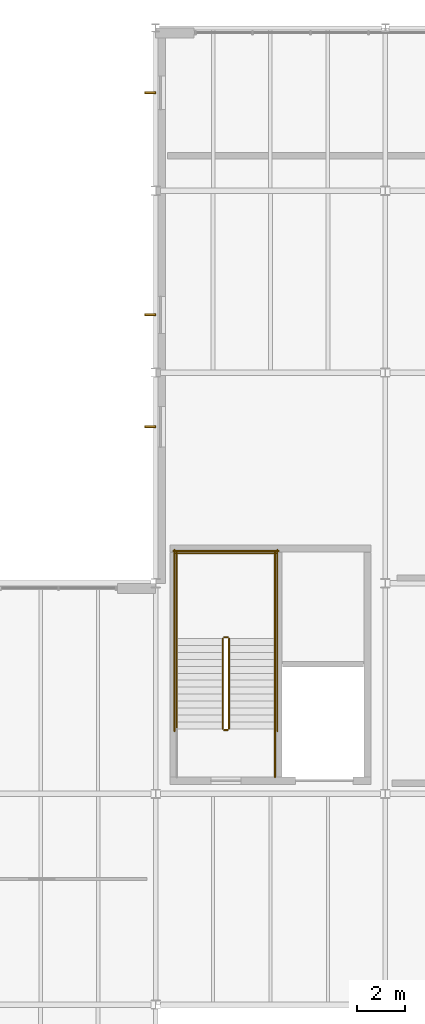
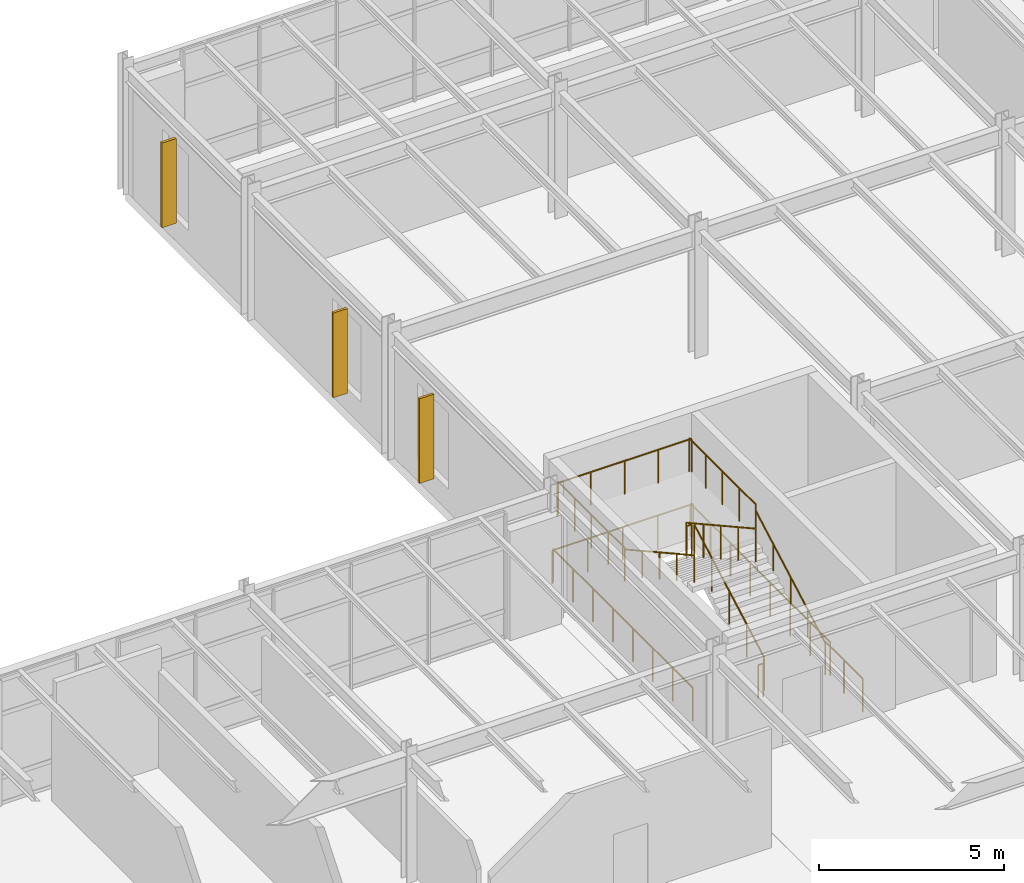
# One storey, part 71 of 77: 13 railings, 3 shading devices.
"""IFC4 building model written with IfcOpenShell, lengths in metres."""

import ifcopenshell
import ifcopenshell.guid

model = None  # the IFC model being written
_history = None  # IfcOwnerHistory: only IFC2X3 demands one
_inside = {}  # id of a spatial element -> (the spatial element, [elements in it])
_under = {}  # id of a project, library or spatial element -> (it, [spatial elements below it])
_declared = {}  # id of a project -> (the project, [libraries it declares])
_typed = {}  # id of a type object -> (the type object, [elements of that type])
_made_of = {}  # id of a material, layer set ... -> (it, [elements and type objects made of it])


def new_model(schema):
    """Start an empty IFC model of exactly this schema.

    Asked for "IFC4X3", IfcOpenShell would pick the latest addendum, in which some entities
    have other attributes; the version numbers below select the first issue.
    IFC2X3 requires an IfcOwnerHistory on every rooted entity: one is made here for all.
    """
    global model, _history
    if schema == "IFC4X3":
        model = ifcopenshell.file(schema_version=(4, 3, 0, 0))
    else:
        model = ifcopenshell.file(schema=schema)
    _inside.clear()
    _under.clear()
    _declared.clear()
    _typed.clear()
    _made_of.clear()
    _history = None
    if model.schema == "IFC2X3":
        org = make("IfcOrganization", Name="unknown")
        user = make(
            "IfcPersonAndOrganization",
            ThePerson=make("IfcPerson", FamilyName="unknown"),
            TheOrganization=org,
        )
        app = make(
            "IfcApplication",
            ApplicationDeveloper=org,
            Version="unknown",
            ApplicationFullName="unknown",
            ApplicationIdentifier="unknown",
        )
        _history = make(
            "IfcOwnerHistory",
            OwningUser=user,
            OwningApplication=app,
            ChangeAction="ADDED",
            CreationDate=0,
        )
    return model


def make(cls, **values):
    """One entity of the class cls with the attributes given. An attribute that is None is left unset."""
    return model.create_entity(
        cls, **{name: value for name, value in values.items() if value is not None}
    )


def rooted(cls, **values):
    """An entity with a GlobalId (a new one), such as an element, a storey or a relation."""
    return make(cls, GlobalId=ifcopenshell.guid.new(), OwnerHistory=_history, **values)


def si_unit(unit_type, name, prefix=None):
    """IfcSIUnit, for example si_unit("LENGTHUNIT", "METRE", prefix="MILLI")."""
    return make("IfcSIUnit", UnitType=unit_type, Prefix=prefix, Name=name)


def assignment(units):
    """IfcUnitAssignment: the units of a project."""
    return None if units is None else make("IfcUnitAssignment", Units=units)


def point(xyz):
    """IfcCartesianPoint."""
    return None if xyz is None else make("IfcCartesianPoint", Coordinates=xyz)


def direction(xyz):
    """IfcDirection."""
    return None if xyz is None else make("IfcDirection", DirectionRatios=xyz)


def frame(location, z_axis=None, x_axis=None):
    """IfcAxis2Placement3D, a coordinate frame: its origin and axes. An axis left out is left unset."""
    return make(
        "IfcAxis2Placement3D",
        Location=point(location),
        Axis=direction(z_axis),
        RefDirection=direction(x_axis),
    )


def frame_2d(location, x_axis=None):
    """IfcAxis2Placement2D, a coordinate frame in the plane: its origin and x axis."""
    return make(
        "IfcAxis2Placement2D", Location=point(location), RefDirection=direction(x_axis)
    )


def origin():
    """The frame at (0, 0, 0) with its axes left unset."""
    return frame((0.0, 0.0, 0.0))


def origin_2d():
    """The frame at (0, 0) in the plane with its x axis left unset."""
    return frame_2d((0.0, 0.0))


def place(relative_to, where):
    """IfcLocalPlacement: puts the frame where relative to a parent placement (None: the world)."""
    return make(
        "IfcLocalPlacement", PlacementRelTo=relative_to, RelativePlacement=where
    )


def context(
    kind, dimensions, precision=None, world=None, true_north=None, identifier=None
):
    """IfcGeometricRepresentationContext, for example the 3D "Model" context."""
    return make(
        "IfcGeometricRepresentationContext",
        ContextIdentifier=identifier,
        ContextType=kind,
        CoordinateSpaceDimension=dimensions,
        Precision=precision,
        WorldCoordinateSystem=world,
        TrueNorth=true_north,
    )


def subcontext(parent, identifier, kind, view, scale=None):
    """IfcGeometricRepresentationSubContext, for example "Body" below "Model"."""
    return make(
        "IfcGeometricRepresentationSubContext",
        ContextIdentifier=identifier,
        ContextType=kind,
        ParentContext=parent,
        TargetScale=scale,
        TargetView=view,
    )


def project(units=None, contexts=None):
    """IfcProject with its units and contexts."""
    return rooted(
        "IfcProject",
        Name="project",
        RepresentationContexts=contexts,
        UnitsInContext=assignment(units),
    )


def spatial(cls, under=None, at=None, **own):
    """A site, building, storey or space (cls), placed at a placement, below another one or the project."""
    s = rooted(cls, ObjectPlacement=at, **own)
    if under is not None:
        _under.setdefault(under.id(), (under, []))[1].append(s)
    return s


def profile(cls, at=None, kind="AREA", **sizes):
    """A parametric profile (cls). Its sizes go by their IFC names, for example OverallWidth=200.0."""
    return make(cls, ProfileType=kind, Position=at, **sizes)


def rectangle(**sizes):
    """IfcRectangleProfileDef."""
    return profile("IfcRectangleProfileDef", **sizes)


def circle(**sizes):
    """IfcCircleProfileDef."""
    return profile("IfcCircleProfileDef", **sizes)


def extrude(swept, where, along, depth):
    """IfcExtrudedAreaSolid: the profile swept, set in the frame where, extruded along a direction by depth."""
    return make(
        "IfcExtrudedAreaSolid",
        SweptArea=swept,
        Position=where,
        ExtrudedDirection=direction(along),
        Depth=depth,
    )


def shape(context_of_items, identifier, shape_type, items):
    """IfcShapeRepresentation: the items that make up one representation, for example the "Body"."""
    return make(
        "IfcShapeRepresentation",
        ContextOfItems=context_of_items,
        RepresentationIdentifier=identifier,
        RepresentationType=shape_type,
        Items=items,
    )


def material(Name=None, Category=None):
    """IfcMaterial."""
    return make("IfcMaterial", Name=Name, Category=Category)


def layer(
    of_material, thickness, ventilated=None, Name=None, Category=None, Priority=None
):
    """IfcMaterialLayer: one layer of a wall or slab, of a material (None: an air gap)."""
    return make(
        "IfcMaterialLayer",
        Material=of_material,
        LayerThickness=thickness,
        IsVentilated=ventilated,
        Name=Name,
        Category=Category,
        Priority=Priority,
    )


def layer_set(layers, Name=None):
    """IfcMaterialLayerSet."""
    return make("IfcMaterialLayerSet", MaterialLayers=layers, LayerSetName=Name)


def made_of(thing, what):
    """Note that an element or type object is made of a material, layer set ...; save() writes the relation."""
    if what is not None:
        _made_of.setdefault(what.id(), (what, []))[1].append(thing)
    return thing


def type_object(cls, material=None, **own):
    """A type object (cls), such as IfcWallType, which elements share."""
    return made_of(rooted(cls, **own), material)


def element(
    cls,
    number,
    at=None,
    inside=None,
    cuts=None,
    type_object=None,
    material=None,
    context=None,
    identifier="Body",
    shape_type=None,
    held_by="IfcProductDefinitionShape",
    body=None,
    shapes=None,
    **own,
):
    """One element of the class cls, such as IfcWall. Its Tag is "e" and its number.

    at: its placement. inside: the storey or other place that contains it. cuts: it is an
    opening in that element (IfcRelVoidsElement). A single representation is given by context,
    identifier, shape_type and body (its items); several are given by shapes. held_by: the class
    of the entity that holds the representations. save() writes the other relations.
    """
    e = rooted(cls, Tag="e%d" % number, ObjectPlacement=at, **own)
    if body is not None:
        shapes = [shape(context, identifier, shape_type, body)]
    if shapes is not None:
        e.Representation = make(held_by, Representations=shapes)
    if inside is not None:
        _inside.setdefault(inside.id(), (inside, []))[1].append(e)
    if cuts is not None:
        rooted(
            "IfcRelVoidsElement", RelatingBuildingElement=cuts, RelatedOpeningElement=e
        )
    if type_object is not None:
        _typed.setdefault(type_object.id(), (type_object, []))[1].append(e)
    return made_of(e, material)


def aggregate(whole, parts):
    """IfcRelAggregates: a whole, such as a stair, and the parts it consists of."""
    return rooted("IfcRelAggregates", RelatingObject=whole, RelatedObjects=parts)


def save(model, path):
    """Write the relations noted so far, then the file.

    IfcRelAggregates (storeys below a building ...), IfcRelContainedInSpatialStructure (elements
    in a storey), IfcRelDefinesByType, IfcRelAssociatesMaterial and IfcRelDeclares: one each for
    every whole, place, type object, material and project.
    """
    for whole, parts in _under.values():
        aggregate(whole, parts)
    for where, things in _inside.values():
        rooted(
            "IfcRelContainedInSpatialStructure",
            RelatedElements=things,
            RelatingStructure=where,
        )
    for kind, things in _typed.values():
        rooted("IfcRelDefinesByType", RelatedObjects=things, RelatingType=kind)
    for what, things in _made_of.values():
        rooted("IfcRelAssociatesMaterial", RelatedObjects=things, RelatingMaterial=what)
    for by, libraries in _declared.values():
        rooted("IfcRelDeclares", RelatingContext=by, RelatedDefinitions=libraries)
    model.write(path)


model = new_model("IFC4")

# Units and contexts
model_context = context("Model", 3, precision=1e-05, world=origin(), true_north=direction((0.0, 1.0)))
body_context = subcontext(model_context, "Body", "Model", "MODEL_VIEW")
ifc_project = project(units=[si_unit("LENGTHUNIT", "METRE"), si_unit("AREAUNIT", "SQUARE_METRE"), si_unit("VOLUMEUNIT", "CUBIC_METRE"), si_unit("PLANEANGLEUNIT", "RADIAN"), si_unit("MASSUNIT", "GRAM", prefix="KILO")], contexts=[model_context])

# Site, building, storey
site_placement = place(None, origin())
site = spatial("IfcSite", under=ifc_project, at=site_placement, CompositionType="ELEMENT")
building_placement = place(site_placement, origin())
building = spatial("IfcBuilding", under=site, at=building_placement, Name="Sarnbrook Museum", CompositionType="ELEMENT")
storey_placement = place(building_placement, frame((0.0, 0.0, 5.60009765625)))
storey = spatial("IfcBuildingStorey", under=building, at=storey_placement, Name="L01", CompositionType="ELEMENT", Elevation=5.60009765625)

# Railings
ifc_material_1 = material(Name="Brushed Stainless Steel Grade 316", Category="steel")
ifc_layer_1 = layer(ifc_material_1, 0.050048828125)
ifc_layer_set_1 = layer_set([ifc_layer_1], Name="Brushed Stainless Steel Grade 316")
railing_type_1 = type_object("IfcRailingType", Name="Guard_Int1120", PredefinedType="BALUSTRADE", material=ifc_layer_set_1)
railing_1_placement = place(storey_placement, frame((45.469970703125, 85.919921875, 0.16064453125)))
element("IfcRailing", 1, at=railing_1_placement, inside=storey, type_object=railing_type_1, Name="L01 ST6 stair guard 1", PredefinedType="BALUSTRADE", context=body_context, shape_type="SweptSolid", body=[
    extrude(circle(Radius=0.02392578125, at=origin_2d()), frame((0.0, 0.0, 1.09619140625), z_axis=(0.0, 0.874659101714, 0.484738543742), x_axis=(-1.0, 0.0, 0.0)), (0.0, 0.0, 1.0), 4.310302734375),
    extrude(circle(Radius=0.02099609375, at=origin_2d()), origin(), (0.0, 0.0, 1.0), 1.072021484375),
    extrude(circle(Radius=0.02099609375, at=origin_2d()), frame((0.0, 0.9423828125, 0.5224609375)), (0.0, 0.0, 1.0), 1.072021484375),
    extrude(circle(Radius=0.02099609375, at=origin_2d()), frame((0.0, 1.885009765625, 1.044677734375)), (0.0, 0.0, 1.0), 1.072021484375),
    extrude(circle(Radius=0.02099609375, at=origin_2d()), frame((0.0, 2.82763671875, 1.56689453125)), (0.0, 0.0, 1.0), 1.072021484375),
    extrude(circle(Radius=0.02099609375, at=origin_2d()), frame((0.0, 3.77001953125, 2.08935546875)), (0.0, 0.0, 1.0), 1.072021484375),
])
railing_2_placement = place(storey_placement, frame((45.419921875, 89.739990234375, 2.25)))
element("IfcRailing", 2, at=railing_2_placement, inside=storey, type_object=railing_type_1, Name="L01 ST6 stair guard 2", PredefinedType="BALUSTRADE", context=body_context, shape_type="SweptSolid", body=[
    extrude(circle(Radius=0.02392578125, at=origin_2d()), frame((0.0, 0.0, 1.09619140625), z_axis=(-1.0, 0.0, 0.0), x_axis=(0.0, -1.0, 0.0)), (0.0, 0.0, 1.0), 0.159912109375),
    extrude(circle(Radius=0.02099609375, at=origin_2d()), origin(), (0.0, 0.0, 1.0), 1.072021484375),
    extrude(circle(Radius=0.02099609375, at=origin_2d()), frame((-0.159912109375, 0.0, 0.0)), (0.0, 0.0, 1.0), 1.072021484375),
])
for number, where, name in (
    (3, (47.389892578125, 89.68994140625, 2.25), "L01 ST6 stair guard 3"),
    (4, (43.2900390625, 89.68994140625, 2.25), "L01 ST6 stair guard 4"),
):
    element("IfcRailing", number, at=place(storey_placement, frame(where)), inside=storey, type_object=railing_type_1, Name=name, PredefinedType="BALUSTRADE", context=body_context, shape_type="SweptSolid", body=[
        extrude(circle(Radius=0.02392578125, at=origin_2d()), frame((0.0, 0.0, 1.09619140625), z_axis=(0.0, 1.0, 0.0), x_axis=(-1.0, 0.0, 0.0)), (0.0, 0.0, 1.0), 3.610107421875),
        extrude(circle(Radius=0.02099609375, at=origin_2d()), origin(), (0.0, 0.0, 1.0), 1.072021484375),
        extrude(circle(Radius=0.02099609375, at=origin_2d()), frame((0.0, 0.902587890625, 0.0)), (0.0, 0.0, 1.0), 1.072021484375),
        extrude(circle(Radius=0.02099609375, at=origin_2d()), frame((0.0, 1.80517578125, 0.0)), (0.0, 0.0, 1.0), 1.072021484375),
        extrude(circle(Radius=0.02099609375, at=origin_2d()), frame((0.0, 2.70751953125, 0.0)), (0.0, 0.0, 1.0), 1.072021484375),
        extrude(circle(Radius=0.02099609375, at=origin_2d()), frame((0.0, 3.610107421875, 0.0)), (0.0, 0.0, 1.0), 1.072021484375),
    ])
railing_3_placement = place(storey_placement, frame((47.43994140625, 93.25, 2.25)))
element("IfcRailing", 5, at=railing_3_placement, inside=storey, type_object=railing_type_1, Name="L01 ST6 stair guard 5", PredefinedType="BALUSTRADE", context=body_context, shape_type="SweptSolid", body=[
    extrude(circle(Radius=0.02392578125, at=origin_2d()), frame((0.0, 0.0, 1.09619140625), z_axis=(-1.0, 0.0, 0.0), x_axis=(0.0, -1.0, 0.0)), (0.0, 0.0, 1.0), 4.199951171875),
    extrude(circle(Radius=0.02099609375, at=origin_2d()), origin(), (0.0, 0.0, 1.0), 1.072021484375),
    extrude(circle(Radius=0.02099609375, at=origin_2d()), frame((-1.050048828125, 0.0, 0.0)), (0.0, 0.0, 1.0), 1.072021484375),
    extrude(circle(Radius=0.02099609375, at=origin_2d()), frame((-2.10009765625, 0.0, 0.0)), (0.0, 0.0, 1.0), 1.072021484375),
    extrude(circle(Radius=0.02099609375, at=origin_2d()), frame((-3.14990234375, 0.0, 0.0)), (0.0, 0.0, 1.0), 1.072021484375),
    extrude(circle(Radius=0.02099609375, at=origin_2d()), frame((-4.199951171875, 0.0, 0.0)), (0.0, 0.0, 1.0), 1.072021484375),
])
railing_4_placement = place(storey_placement, frame((45.2099609375, 89.68994140625, 2.41064453125)))
element("IfcRailing", 6, at=railing_4_placement, inside=storey, type_object=railing_type_1, Name="L01 ST6 stair guard 6", PredefinedType="BALUSTRADE", context=body_context, shape_type="SweptSolid", body=[
    extrude(circle(Radius=0.02392578125, at=origin_2d()), frame((0.0, 0.0, 1.09619140625), z_axis=(0.0, -0.874659101714, 0.484738543742), x_axis=(1.0, 0.0, 0.0)), (0.0, 0.0, 1.0), 4.310302734375),
    extrude(circle(Radius=0.02099609375, at=origin_2d()), origin(), (0.0, 0.0, 1.0), 1.072021484375),
    extrude(circle(Radius=0.02099609375, at=origin_2d()), frame((0.0, -0.9423828125, 0.5224609375)), (0.0, 0.0, 1.0), 1.072021484375),
    extrude(circle(Radius=0.02099609375, at=origin_2d()), frame((0.0, -1.885009765625, 1.044677734375)), (0.0, 0.0, 1.0), 1.072021484375),
    extrude(circle(Radius=0.02099609375, at=origin_2d()), frame((0.0, -2.82763671875, 1.56689453125)), (0.0, 0.0, 1.0), 1.072021484375),
    extrude(circle(Radius=0.02099609375, at=origin_2d()), frame((0.0, -3.77001953125, 2.08935546875)), (0.0, 0.0, 1.0), 1.072021484375),
])
railing_5_placement = place(storey_placement, frame((45.419921875, 85.8701171875, 0.0)))
element("IfcRailing", 7, at=railing_5_placement, inside=storey, type_object=railing_type_1, Name="L01 ST6 stair guard 7", PredefinedType="BALUSTRADE", context=body_context, shape_type="SweptSolid", body=[
    extrude(circle(Radius=0.02392578125, at=origin_2d()), frame((0.0, 0.0, 1.09619140625), z_axis=(-1.0, 0.0, 0.0), x_axis=(0.0, -1.0, 0.0)), (0.0, 0.0, 1.0), 0.159912109375),
    extrude(circle(Radius=0.02099609375, at=origin_2d()), origin(), (0.0, 0.0, 1.0), 1.072021484375),
    extrude(circle(Radius=0.02099609375, at=origin_2d()), frame((-0.159912109375, 0.0, 0.0)), (0.0, 0.0, 1.0), 1.072021484375),
])
railing_6_placement = place(storey_placement, frame((47.389892578125, 83.89990234375, 0.0)))
element("IfcRailing", 8, at=railing_6_placement, inside=storey, type_object=railing_type_1, Name="L01 ST6 stair guard 8", PredefinedType="BALUSTRADE", context=body_context, shape_type="SweptSolid", body=[
    extrude(circle(Radius=0.02392578125, at=origin_2d()), frame((0.0, 0.0, 1.09619140625), z_axis=(0.0, 1.0, 0.0), x_axis=(-1.0, 0.0, 0.0)), (0.0, 0.0, 1.0), 2.02001953125),
    extrude(circle(Radius=0.02099609375, at=origin_2d()), origin(), (0.0, 0.0, 1.0), 1.072021484375),
    extrude(circle(Radius=0.02099609375, at=origin_2d()), frame((0.0, 1.010009765625, 0.0)), (0.0, 0.0, 1.0), 1.072021484375),
    extrude(circle(Radius=0.02099609375, at=origin_2d()), frame((0.0, 2.02001953125, 0.0)), (0.0, 0.0, 1.0), 1.072021484375),
])
for number, where, name in (
    (9, (47.489990234375, 85.820068359375, 0.0), "L01 ST6 stair guard 10"),
    (10, (43.18994140625, 85.820068359375, 0.0), "L01 ST6 stair guard 11"),
):
    element("IfcRailing", number, at=place(storey_placement, frame(where)), inside=storey, type_object=railing_type_1, Name=name, PredefinedType="BALUSTRADE", context=body_context, shape_type="SweptSolid", body=[
        extrude(circle(Radius=0.02392578125, at=origin_2d()), frame((0.0, 0.0, 1.09619140625), z_axis=(0.0, 1.0, 0.0), x_axis=(-1.0, 0.0, 0.0)), (0.0, 0.0, 1.0), 7.579833984375),
        extrude(circle(Radius=0.02099609375, at=origin_2d()), origin(), (0.0, 0.0, 1.0), 1.072021484375),
        extrude(circle(Radius=0.02099609375, at=origin_2d()), frame((0.0, 1.082763671875, 0.0)), (0.0, 0.0, 1.0), 1.072021484375),
        extrude(circle(Radius=0.02099609375, at=origin_2d()), frame((0.0, 2.165771484375, 0.0)), (0.0, 0.0, 1.0), 1.072021484375),
        extrude(circle(Radius=0.02099609375, at=origin_2d()), frame((0.0, 3.24853515625, 0.0)), (0.0, 0.0, 1.0), 1.072021484375),
        extrude(circle(Radius=0.02099609375, at=origin_2d()), frame((0.0, 4.331298828125, 0.0)), (0.0, 0.0, 1.0), 1.072021484375),
        extrude(circle(Radius=0.02099609375, at=origin_2d()), frame((0.0, 5.4140625, 0.0)), (0.0, 0.0, 1.0), 1.072021484375),
        extrude(circle(Radius=0.02099609375, at=origin_2d()), frame((0.0, 6.4970703125, 0.0)), (0.0, 0.0, 1.0), 1.072021484375),
        extrude(circle(Radius=0.02099609375, at=origin_2d()), frame((0.0, 7.579833984375, 0.0)), (0.0, 0.0, 1.0), 1.072021484375),
    ])
railing_7_placement = place(storey_placement, frame((47.5400390625, 93.35009765625, 0.0)))
element("IfcRailing", 11, at=railing_7_placement, inside=storey, type_object=railing_type_1, Name="L01 ST6 stair guard 12", PredefinedType="BALUSTRADE", context=body_context, shape_type="SweptSolid", body=[
    extrude(circle(Radius=0.02392578125, at=origin_2d()), frame((0.0, 0.0, 1.09619140625), z_axis=(-1.0, 0.0, 0.0), x_axis=(0.0, -1.0, 0.0)), (0.0, 0.0, 1.0), 4.400146484375),
    extrude(circle(Radius=0.02099609375, at=origin_2d()), origin(), (0.0, 0.0, 1.0), 1.072021484375),
    extrude(circle(Radius=0.02099609375, at=origin_2d()), frame((-1.10009765625, 0.0, 0.0)), (0.0, 0.0, 1.0), 1.072021484375),
    extrude(circle(Radius=0.02099609375, at=origin_2d()), frame((-2.2001953125, 0.0, 0.0)), (0.0, 0.0, 1.0), 1.072021484375),
    extrude(circle(Radius=0.02099609375, at=origin_2d()), frame((-3.300048828125, 0.0, 0.0)), (0.0, 0.0, 1.0), 1.072021484375),
    extrude(circle(Radius=0.02099609375, at=origin_2d()), frame((-4.400146484375, 0.0, 0.0)), (0.0, 0.0, 1.0), 1.072021484375),
])
ifc_layer_2 = layer(ifc_material_1, 0.048095703125)
ifc_layer_set_2 = layer_set([ifc_layer_2], Name="Brushed Stainless Steel Grade 316")
railing_type_2 = type_object("IfcRailingType", Name="Handrail_920", PredefinedType="HANDRAIL", material=ifc_layer_set_2)
railing_8_placement = place(storey_placement, frame((47.389892578125, 85.919921875, 0.16064453125)))
element("IfcRailing", 12, at=railing_8_placement, inside=storey, type_object=railing_type_2, Name="L01 ST6 stair handrail 1", PredefinedType="HANDRAIL", context=body_context, shape_type="SweptSolid", body=[
    extrude(circle(Radius=0.02392578125, at=origin_2d()), frame((0.0, 0.0, 0.8857421875), z_axis=(0.0, 0.874659101714, 0.484738543742), x_axis=(-1.0, 0.0, 0.0)), (0.0, 0.0, 1.0), 4.310302734375),
    extrude(circle(Radius=0.02099609375, at=origin_2d()), origin(), (0.0, 0.0, 1.0), 0.86181640625),
    extrude(circle(Radius=0.02099609375, at=origin_2d()), frame((0.0, 0.9423828125, 0.5224609375)), (0.0, 0.0, 1.0), 0.86181640625),
    extrude(circle(Radius=0.02099609375, at=origin_2d()), frame((0.0, 1.885009765625, 1.044677734375)), (0.0, 0.0, 1.0), 0.86181640625),
    extrude(circle(Radius=0.02099609375, at=origin_2d()), frame((0.0, 2.82763671875, 1.56689453125)), (0.0, 0.0, 1.0), 0.86181640625),
    extrude(circle(Radius=0.02099609375, at=origin_2d()), frame((0.0, 3.77001953125, 2.08935546875)), (0.0, 0.0, 1.0), 0.86181640625),
])
railing_9_placement = place(storey_placement, frame((43.2900390625, 89.68994140625, 2.41064453125)))
element("IfcRailing", 13, at=railing_9_placement, inside=storey, type_object=railing_type_2, Name="L01 ST6 stair handrail 2", PredefinedType="HANDRAIL", context=body_context, shape_type="SweptSolid", body=[
    extrude(circle(Radius=0.02392578125, at=origin_2d()), frame((0.0, 0.0, 0.8857421875), z_axis=(0.0, -0.874659101714, 0.484738543742), x_axis=(1.0, 0.0, 0.0)), (0.0, 0.0, 1.0), 4.310302734375),
    extrude(circle(Radius=0.02099609375, at=origin_2d()), origin(), (0.0, 0.0, 1.0), 0.86181640625),
    extrude(circle(Radius=0.02099609375, at=origin_2d()), frame((0.0, -0.9423828125, 0.5224609375)), (0.0, 0.0, 1.0), 0.86181640625),
    extrude(circle(Radius=0.02099609375, at=origin_2d()), frame((0.0, -1.885009765625, 1.044677734375)), (0.0, 0.0, 1.0), 0.86181640625),
    extrude(circle(Radius=0.02099609375, at=origin_2d()), frame((0.0, -2.82763671875, 1.56689453125)), (0.0, 0.0, 1.0), 0.86181640625),
    extrude(circle(Radius=0.02099609375, at=origin_2d()), frame((0.0, -3.77001953125, 2.08935546875)), (0.0, 0.0, 1.0), 0.86181640625),
])

# Shading devices
ifc_material_2 = material(Name="Patinated Architectural Bronze")
shading_device_type = type_object("IfcShadingDeviceType", Name="SunFin_VerticalBronze", PredefinedType="USERDEFINED", material=ifc_material_2)
for number, where, z_axis, x_axis, name in (
    (14, (42.179931640625, 112.48388671875, 0.60009765625), (0.0, 0.0, 1.0), (1.0, 0.0, 0.0), "Vertical Bronze Sun-Shading Fin SF-005"),
    (15, (42.179931640625, 103.208984375, 0.60009765625), (0.0, 0.0, 1.0), (1.0, 0.0, 0.0), "Vertical Bronze Sun-Shading Fin SF-006"),
    (16, (42.179931640625, 98.533935546875, 0.60009765625), (0.0, 0.0, 1.0), (1.0, 0.0, 0.0), "Vertical Bronze Sun-Shading Fin SF-007"),
):
    element("IfcShadingDevice", number, at=place(storey_placement, frame(where, z_axis=z_axis, x_axis=x_axis)), inside=storey, type_object=shading_device_type, Name=name, ObjectType="FIN", PredefinedType="USERDEFINED", context=body_context, shape_type="SweptSolid", body=[
        extrude(rectangle(XDim=0.449951171875, YDim=0.080078125, at=origin_2d()), origin(), (0.0, 0.0, 1.0), 2.800048828125),
    ])

save(model, "model.ifc")
